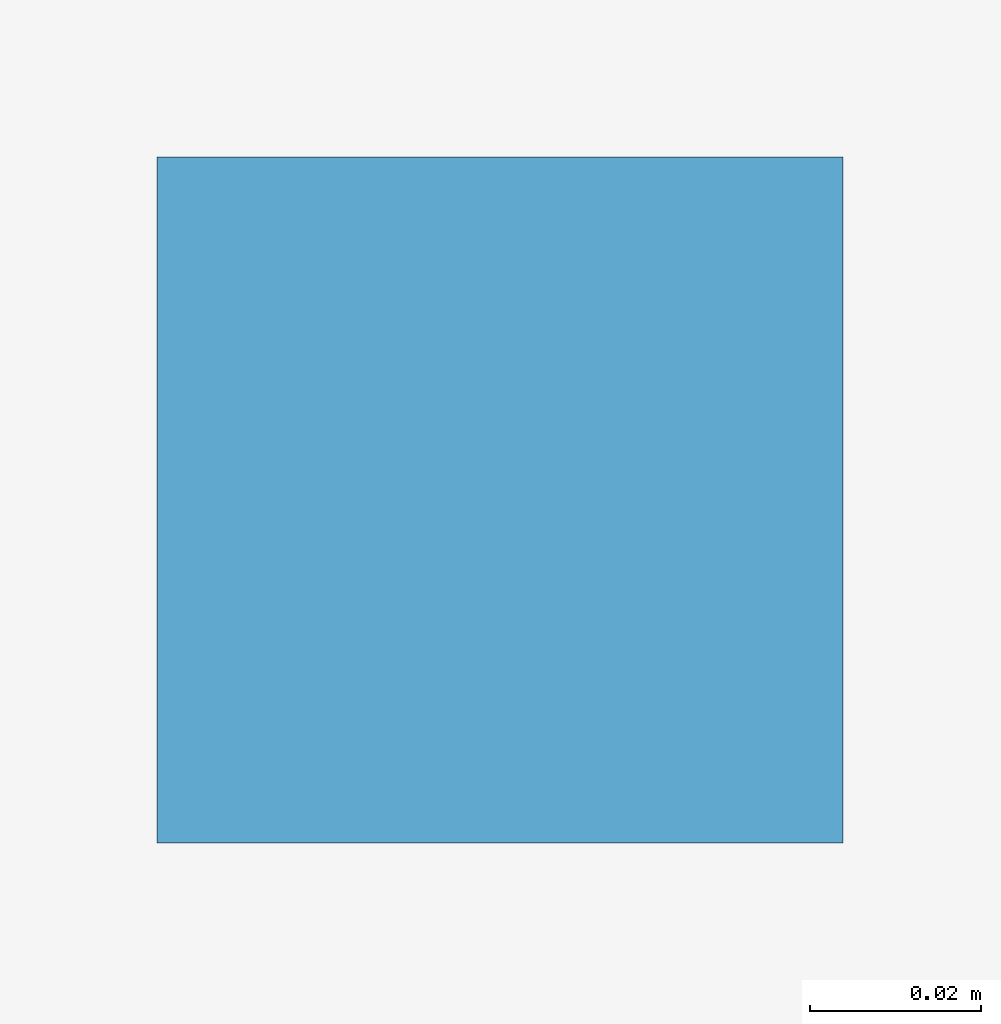
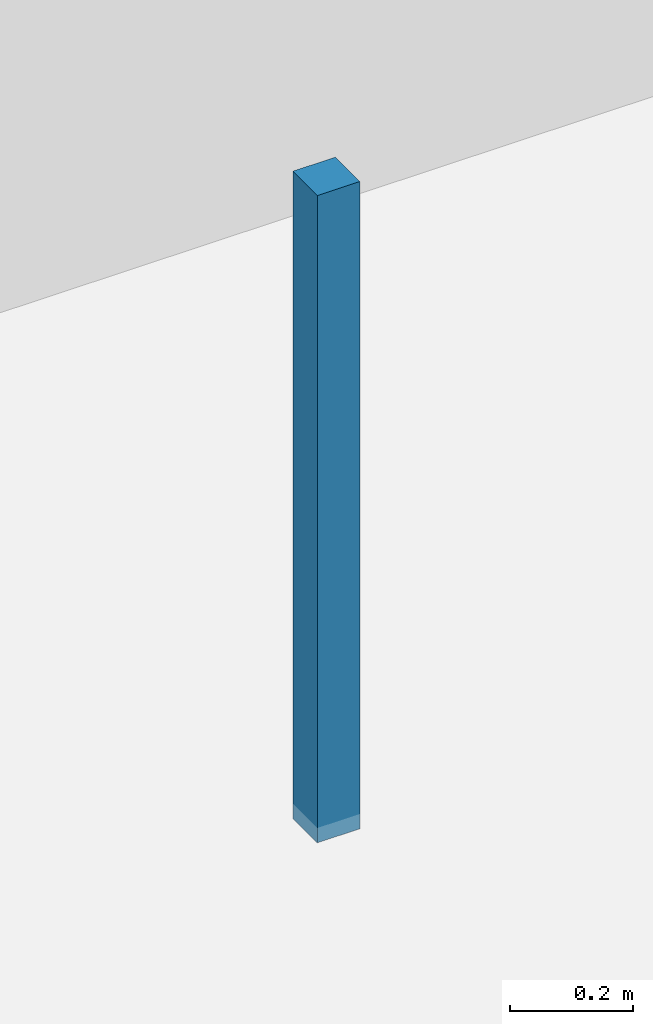
# One storey, part 10 of 14: 1 discrete accessory.
"""IFC4 building model written with IfcOpenShell, lengths in metres."""

from ifc_helpers import new_model, si_unit, direction, frame, origin, origin_2d, place, context, subcontext, project, spatial, rectangle, extrude, source, transform, mapped, material, type_object, element, save


model = new_model("IFC4")

# Units and contexts
model_context = context("Model", 3, precision=1e-05, world=origin(), true_north=direction((0.0, 1.0)))
body_context = subcontext(model_context, "Body", "Model", "MODEL_VIEW")
ifc_project = project(units=[si_unit("LENGTHUNIT", "METRE"), si_unit("AREAUNIT", "SQUARE_METRE"), si_unit("VOLUMEUNIT", "CUBIC_METRE"), si_unit("PLANEANGLEUNIT", "RADIAN"), si_unit("MASSUNIT", "GRAM", prefix="KILO")], contexts=[model_context])

# Site, building, storey
site_placement = place(None, origin())
site = spatial("IfcSite", under=ifc_project, at=site_placement, CompositionType="ELEMENT")
building_placement = place(site_placement, origin())
building = spatial("IfcBuilding", under=site, at=building_placement, Name="Giltprow Tower", CompositionType="ELEMENT")
storey_placement = place(building_placement, frame((0.0, 0.0, 10.39990234375)))
storey = spatial("IfcBuildingStorey", under=building, at=storey_placement, Name="L03", CompositionType="ELEMENT", Elevation=10.39990234375)

# Discrete accessory
ifc_material = material(Name="Structural steel Q355B", Category="steel")
discrete_accessory_type = type_object("IfcDiscreteAccessoryType", Name="ACC-CLG-HANGER", PredefinedType="BRACKET", material=ifc_material)
shared_shape = source(origin(), body_context, "Body", "SweptSolid", [
    extrude(rectangle(XDim=0.080078125, YDim=0.080078125, at=origin_2d()), origin(), (0.0, 0.0, 1.0), 1.2900390625),
])
discrete_accessory_placement = place(storey_placement, frame((7.89990234375, 11.85009765625, 3.27001953125), z_axis=(0.0, 0.0, 1.0), x_axis=(1.0, 0.0, 0.0)))
element("IfcDiscreteAccessory", 1, at=discrete_accessory_placement, inside=storey, type_object=discrete_accessory_type, Name="L03 Acoustic Suspended Ceiling Suspension Hanger", PredefinedType="BRACKET", context=body_context, shape_type="MappedRepresentation", body=[
    mapped(shared_shape, transform((0.0, 0.0, 0.0), x_axis=(1.0, 0.0, 0.0), y_axis=(0.0, 1.0, 0.0), z_axis=(0.0, 0.0, 1.0), scale=1.0)),
])

save(model, "model.ifc")
